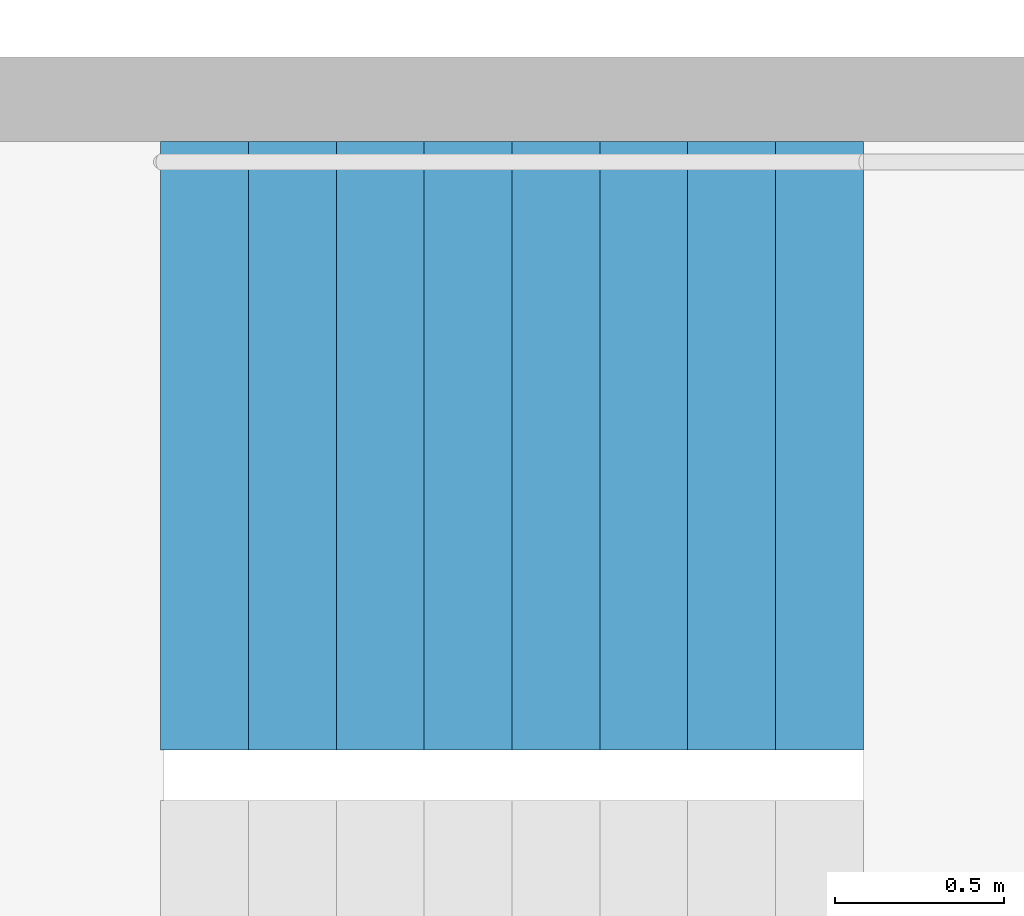
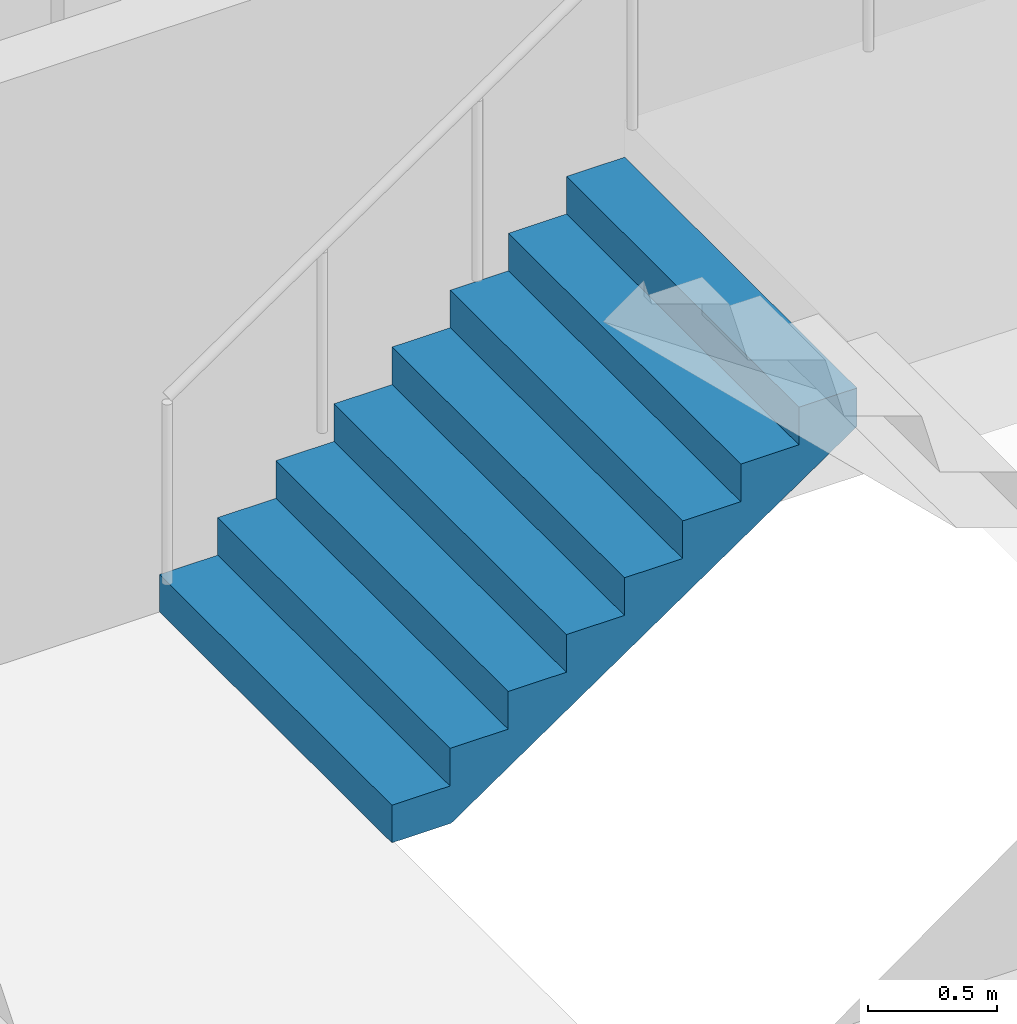
# One storey, part 21 of 28: 1 stair flight, 1 element without a shape of its own.
"""IFC4 building model written with IfcOpenShell, lengths in metres."""

from ifc_helpers import new_model, si_unit, direction, frame, origin, place, context, subcontext, project, spatial, triangles, material, type_object, element, aggregate, save


model = new_model("IFC4")

# Units and contexts
model_context = context("Model", 3, precision=1e-05, world=origin(), true_north=direction((0.0, 1.0)))
body_context = subcontext(model_context, "Body", "Model", "MODEL_VIEW")
ifc_project = project(units=[si_unit("LENGTHUNIT", "METRE"), si_unit("AREAUNIT", "SQUARE_METRE"), si_unit("VOLUMEUNIT", "CUBIC_METRE"), si_unit("PLANEANGLEUNIT", "RADIAN"), si_unit("MASSUNIT", "GRAM", prefix="KILO")], contexts=[model_context])

# Site, building, storey
site_placement = place(None, origin())
site = spatial("IfcSite", under=ifc_project, at=site_placement, CompositionType="ELEMENT")
building_placement = place(site_placement, origin())
building = spatial("IfcBuilding", under=site, at=building_placement, Name="Hakoniwa Tower and Hamabe Station Hall", CompositionType="ELEMENT")
storey_placement = place(building_placement, frame((0.0, 0.0, 193.0)))
storey = spatial("IfcBuildingStorey", under=building, at=storey_placement, Name="L54", CompositionType="ELEMENT", Elevation=193.0)

# Stair, stair flight
ifc_material_1 = material(Name="Concrete C40", Category="concrete")
stair_type = type_object("IfcStairType", Name="ESCAPE STAIR 1800", PredefinedType="HALF_TURN_STAIR", material=ifc_material_1)
stair_placement = place(storey_placement, origin())
stair = element("IfcStair", 1, at=stair_placement, inside=storey, type_object=stair_type, Name="Escape stair ST-4 L54", PredefinedType="HALF_TURN_STAIR")
ifc_material_2 = material(Name="Concrete C40", Category="concrete")
stair_flight_type = type_object("IfcStairFlightType", Name="STAIR FLIGHT 1800", PredefinedType="STRAIGHT", material=ifc_material_2)
stair_flight_placement = place(storey_placement, frame((23.39990234375, -4.64990234375, 0.0), z_axis=(0.0, 0.0, 1.0), x_axis=(1.0, 0.0, 0.0)))
stair_flight = element("IfcStairFlight", 2, at=stair_flight_placement, type_object=stair_flight_type, Name="ST-4 flight 1", NumberOfRisers=9, NumberOfTreads=8, PredefinedType="STRAIGHT", RiserHeight=0.177777778, TreadLength=0.26, context=body_context, shape_type="Tessellation", body=[
    triangles([(0.0, 0.89990234375, 0.0), (0.260009765625, 0.89990234375, 0.0), (0.265625, 0.89990234375, 0.0), (0.52001953125, 0.89990234375, 0.174072265625), (0.780029296875, 0.89990234375, 0.351806640625), (1.0400390625, 0.89990234375, 0.529541015625), (1.300048828125, 0.89990234375, 0.707275390625), (1.56005859375, 0.89990234375, 0.885009765625), (1.820068359375, 0.89990234375, 1.062744140625), (2.080078125, 0.89990234375, 1.24072265625), (2.080078125, 0.89990234375, 1.422119140625), (1.820068359375, 0.89990234375, 1.422119140625), (1.820068359375, 0.89990234375, 1.244384765625), (1.56005859375, 0.89990234375, 1.244384765625), (1.56005859375, 0.89990234375, 1.066650390625), (1.300048828125, 0.89990234375, 1.066650390625), (1.300048828125, 0.89990234375, 0.888916015625), (1.0400390625, 0.89990234375, 0.888916015625), (1.0400390625, 0.89990234375, 0.711181640625), (0.780029296875, 0.89990234375, 0.711181640625), (0.780029296875, 0.89990234375, 0.533447265625), (0.52001953125, 0.89990234375, 0.533447265625), (0.52001953125, 0.89990234375, 0.35546875), (0.265625, 0.89990234375, 0.35546875), (0.260009765625, 0.89990234375, 0.35546875), (0.260009765625, 0.89990234375, 0.177734375), (0.0, 0.89990234375, 0.177734375), (0.0, 0.06005859375, 0.0), (0.260009765625, 0.06005859375, 0.0), (0.265625, 0.06005859375, 0.0), (0.52001953125, 0.06005859375, 0.174072265625), (0.780029296875, 0.06005859375, 0.351806640625), (1.0400390625, 0.06005859375, 0.529541015625), (1.300048828125, 0.06005859375, 0.707275390625), (1.56005859375, 0.06005859375, 0.885009765625), (1.820068359375, 0.06005859375, 1.062744140625), (2.080078125, 0.06005859375, 1.24072265625), (2.080078125, 0.06005859375, 1.422119140625), (1.820068359375, 0.06005859375, 1.422119140625), (1.820068359375, 0.06005859375, 1.244384765625), (1.56005859375, 0.06005859375, 1.244384765625), (1.56005859375, 0.06005859375, 1.066650390625), (1.300048828125, 0.06005859375, 1.066650390625), (1.300048828125, 0.06005859375, 0.888916015625), (1.0400390625, 0.06005859375, 0.888916015625), (1.0400390625, 0.06005859375, 0.711181640625), (0.780029296875, 0.06005859375, 0.711181640625), (0.780029296875, 0.06005859375, 0.533447265625), (0.52001953125, 0.06005859375, 0.533447265625), (0.52001953125, 0.06005859375, 0.35546875), (0.265625, 0.06005859375, 0.35546875), (0.260009765625, 0.06005859375, 0.35546875), (0.260009765625, 0.06005859375, 0.177734375), (0.0, 0.06005859375, 0.177734375), (0.0, 0.04296875, 0.0), (0.260009765625, 0.04296875, 0.0), (0.265625, 0.04296875, 0.0), (0.52001953125, 0.04296875, 0.174072265625), (0.780029296875, 0.04296875, 0.351806640625), (1.0400390625, 0.04296875, 0.529541015625), (1.300048828125, 0.04296875, 0.707275390625), (1.56005859375, 0.04296875, 0.885009765625), (1.820068359375, 0.04296875, 1.062744140625), (2.080078125, 0.04296875, 1.24072265625), (2.080078125, 0.04296875, 1.422119140625), (1.820068359375, 0.04296875, 1.422119140625), (1.820068359375, 0.04296875, 1.244384765625), (1.56005859375, 0.04296875, 1.244384765625), (1.56005859375, 0.04296875, 1.066650390625), (1.300048828125, 0.04296875, 1.066650390625), (1.300048828125, 0.04296875, 0.888916015625), (1.0400390625, 0.04296875, 0.888916015625), (1.0400390625, 0.04296875, 0.711181640625), (0.780029296875, 0.04296875, 0.711181640625), (0.780029296875, 0.04296875, 0.533447265625), (0.52001953125, 0.04296875, 0.533447265625), (0.52001953125, 0.04296875, 0.35546875), (0.265625, 0.04296875, 0.35546875), (0.260009765625, 0.04296875, 0.35546875), (0.260009765625, 0.04296875, 0.177734375), (0.0, 0.04296875, 0.177734375), (0.0, 0.025634765625, 0.0), (0.260009765625, 0.025634765625, 0.0), (0.265625, 0.025634765625, 0.0), (0.52001953125, 0.025634765625, 0.174072265625), (0.780029296875, 0.025634765625, 0.351806640625), (1.0400390625, 0.025634765625, 0.529541015625), (1.300048828125, 0.025634765625, 0.707275390625), (1.56005859375, 0.025634765625, 0.885009765625), (1.820068359375, 0.025634765625, 1.062744140625), (2.080078125, 0.025634765625, 1.24072265625), (2.080078125, 0.025634765625, 1.422119140625), (1.820068359375, 0.025634765625, 1.422119140625), (1.820068359375, 0.025634765625, 1.244384765625), (1.56005859375, 0.025634765625, 1.244384765625), (1.56005859375, 0.025634765625, 1.066650390625), (1.300048828125, 0.025634765625, 1.066650390625), (1.300048828125, 0.025634765625, 0.888916015625), (1.0400390625, 0.025634765625, 0.888916015625), (1.0400390625, 0.025634765625, 0.711181640625), (0.780029296875, 0.025634765625, 0.711181640625), (0.780029296875, 0.025634765625, 0.533447265625), (0.52001953125, 0.025634765625, 0.533447265625), (0.52001953125, 0.025634765625, 0.35546875), (0.265625, 0.025634765625, 0.35546875), (0.260009765625, 0.025634765625, 0.35546875), (0.260009765625, 0.025634765625, 0.177734375), (0.0, 0.025634765625, 0.177734375), (0.0, 0.008544921875, 0.0), (0.260009765625, 0.008544921875, 0.0), (0.265625, 0.008544921875, 0.0), (0.52001953125, 0.008544921875, 0.174072265625), (0.780029296875, 0.008544921875, 0.351806640625), (1.0400390625, 0.008544921875, 0.529541015625), (1.300048828125, 0.008544921875, 0.707275390625), (1.56005859375, 0.008544921875, 0.885009765625), (1.820068359375, 0.008544921875, 1.062744140625), (2.080078125, 0.008544921875, 1.24072265625), (2.080078125, 0.008544921875, 1.422119140625), (1.820068359375, 0.008544921875, 1.422119140625), (1.820068359375, 0.008544921875, 1.244384765625), (1.56005859375, 0.008544921875, 1.244384765625), (1.56005859375, 0.008544921875, 1.066650390625), (1.300048828125, 0.008544921875, 1.066650390625), (1.300048828125, 0.008544921875, 0.888916015625), (1.0400390625, 0.008544921875, 0.888916015625), (1.0400390625, 0.008544921875, 0.711181640625), (0.780029296875, 0.008544921875, 0.711181640625), (0.780029296875, 0.008544921875, 0.533447265625), (0.52001953125, 0.008544921875, 0.533447265625), (0.52001953125, 0.008544921875, 0.35546875), (0.265625, 0.008544921875, 0.35546875), (0.260009765625, 0.008544921875, 0.35546875), (0.260009765625, 0.008544921875, 0.177734375), (0.0, 0.008544921875, 0.177734375), (0.0, -0.008544921875, 0.0), (0.260009765625, -0.008544921875, 0.0), (0.265625, -0.008544921875, 0.0), (0.52001953125, -0.008544921875, 0.174072265625), (0.780029296875, -0.008544921875, 0.351806640625), (1.0400390625, -0.008544921875, 0.529541015625), (1.300048828125, -0.008544921875, 0.707275390625), (1.56005859375, -0.008544921875, 0.885009765625), (1.820068359375, -0.008544921875, 1.062744140625), (2.080078125, -0.008544921875, 1.24072265625), (2.080078125, -0.008544921875, 1.422119140625), (1.820068359375, -0.008544921875, 1.422119140625), (1.820068359375, -0.008544921875, 1.244384765625), (1.56005859375, -0.008544921875, 1.244384765625), (1.56005859375, -0.008544921875, 1.066650390625), (1.300048828125, -0.008544921875, 1.066650390625), (1.300048828125, -0.008544921875, 0.888916015625), (1.0400390625, -0.008544921875, 0.888916015625), (1.0400390625, -0.008544921875, 0.711181640625), (0.780029296875, -0.008544921875, 0.711181640625), (0.780029296875, -0.008544921875, 0.533447265625), (0.52001953125, -0.008544921875, 0.533447265625), (0.52001953125, -0.008544921875, 0.35546875), (0.265625, -0.008544921875, 0.35546875), (0.260009765625, -0.008544921875, 0.35546875), (0.260009765625, -0.008544921875, 0.177734375), (0.0, -0.008544921875, 0.177734375), (0.0, -0.025634765625, 0.0), (0.260009765625, -0.025634765625, 0.0), (0.265625, -0.025634765625, 0.0), (0.52001953125, -0.025634765625, 0.174072265625), (0.780029296875, -0.025634765625, 0.351806640625), (1.0400390625, -0.025634765625, 0.529541015625), (1.300048828125, -0.025634765625, 0.707275390625), (1.56005859375, -0.025634765625, 0.885009765625), (1.820068359375, -0.025634765625, 1.062744140625), (2.080078125, -0.025634765625, 1.24072265625), (2.080078125, -0.025634765625, 1.422119140625), (1.820068359375, -0.025634765625, 1.422119140625), (1.820068359375, -0.025634765625, 1.244384765625), (1.56005859375, -0.025634765625, 1.244384765625), (1.56005859375, -0.025634765625, 1.066650390625), (1.300048828125, -0.025634765625, 1.066650390625), (1.300048828125, -0.025634765625, 0.888916015625), (1.0400390625, -0.025634765625, 0.888916015625), (1.0400390625, -0.025634765625, 0.711181640625), (0.780029296875, -0.025634765625, 0.711181640625), (0.780029296875, -0.025634765625, 0.533447265625), (0.52001953125, -0.025634765625, 0.533447265625), (0.52001953125, -0.025634765625, 0.35546875), (0.265625, -0.025634765625, 0.35546875), (0.260009765625, -0.025634765625, 0.35546875), (0.260009765625, -0.025634765625, 0.177734375), (0.0, -0.025634765625, 0.177734375), (0.0, -0.04296875, 0.0), (0.260009765625, -0.04296875, 0.0), (0.265625, -0.04296875, 0.0), (0.52001953125, -0.04296875, 0.174072265625), (0.780029296875, -0.04296875, 0.351806640625), (1.0400390625, -0.04296875, 0.529541015625), (1.300048828125, -0.04296875, 0.707275390625), (1.56005859375, -0.04296875, 0.885009765625), (1.820068359375, -0.04296875, 1.062744140625), (2.080078125, -0.04296875, 1.24072265625), (2.080078125, -0.04296875, 1.422119140625), (1.820068359375, -0.04296875, 1.422119140625), (1.820068359375, -0.04296875, 1.244384765625), (1.56005859375, -0.04296875, 1.244384765625), (1.56005859375, -0.04296875, 1.066650390625), (1.300048828125, -0.04296875, 1.066650390625), (1.300048828125, -0.04296875, 0.888916015625), (1.0400390625, -0.04296875, 0.888916015625), (1.0400390625, -0.04296875, 0.711181640625), (0.780029296875, -0.04296875, 0.711181640625), (0.780029296875, -0.04296875, 0.533447265625), (0.52001953125, -0.04296875, 0.533447265625), (0.52001953125, -0.04296875, 0.35546875), (0.265625, -0.04296875, 0.35546875), (0.260009765625, -0.04296875, 0.35546875), (0.260009765625, -0.04296875, 0.177734375), (0.0, -0.04296875, 0.177734375), (0.0, -0.06005859375, 0.0), (0.260009765625, -0.06005859375, 0.0), (0.265625, -0.06005859375, 0.0), (0.52001953125, -0.06005859375, 0.174072265625), (0.780029296875, -0.06005859375, 0.351806640625), (1.0400390625, -0.06005859375, 0.529541015625), (1.300048828125, -0.06005859375, 0.707275390625), (1.56005859375, -0.06005859375, 0.885009765625), (1.820068359375, -0.06005859375, 1.062744140625), (2.080078125, -0.06005859375, 1.24072265625), (2.080078125, -0.06005859375, 1.422119140625), (1.820068359375, -0.06005859375, 1.422119140625), (1.820068359375, -0.06005859375, 1.244384765625), (1.56005859375, -0.06005859375, 1.244384765625), (1.56005859375, -0.06005859375, 1.066650390625), (1.300048828125, -0.06005859375, 1.066650390625), (1.300048828125, -0.06005859375, 0.888916015625), (1.0400390625, -0.06005859375, 0.888916015625), (1.0400390625, -0.06005859375, 0.711181640625), (0.780029296875, -0.06005859375, 0.711181640625), (0.780029296875, -0.06005859375, 0.533447265625), (0.52001953125, -0.06005859375, 0.533447265625), (0.52001953125, -0.06005859375, 0.35546875), (0.265625, -0.06005859375, 0.35546875), (0.260009765625, -0.06005859375, 0.35546875), (0.260009765625, -0.06005859375, 0.177734375), (0.0, -0.06005859375, 0.177734375), (0.0, -0.89990234375, 0.0), (0.260009765625, -0.89990234375, 0.0), (0.265625, -0.89990234375, 0.0), (0.52001953125, -0.89990234375, 0.174072265625), (0.780029296875, -0.89990234375, 0.351806640625), (1.0400390625, -0.89990234375, 0.529541015625), (1.300048828125, -0.89990234375, 0.707275390625), (1.56005859375, -0.89990234375, 0.885009765625), (1.820068359375, -0.89990234375, 1.062744140625), (2.080078125, -0.89990234375, 1.24072265625), (2.080078125, -0.89990234375, 1.422119140625), (1.820068359375, -0.89990234375, 1.422119140625), (1.820068359375, -0.89990234375, 1.244384765625), (1.56005859375, -0.89990234375, 1.244384765625), (1.56005859375, -0.89990234375, 1.066650390625), (1.300048828125, -0.89990234375, 1.066650390625), (1.300048828125, -0.89990234375, 0.888916015625), (1.0400390625, -0.89990234375, 0.888916015625), (1.0400390625, -0.89990234375, 0.711181640625), (0.780029296875, -0.89990234375, 0.711181640625), (0.780029296875, -0.89990234375, 0.533447265625), (0.52001953125, -0.89990234375, 0.533447265625), (0.52001953125, -0.89990234375, 0.35546875), (0.265625, -0.89990234375, 0.35546875), (0.260009765625, -0.89990234375, 0.35546875), (0.260009765625, -0.89990234375, 0.177734375), (0.0, -0.89990234375, 0.177734375)], [[2, 27, 26], [245, 269, 270], [2, 1, 27], [245, 270, 244], [3, 25, 24], [246, 267, 268], [3, 26, 25], [246, 268, 269], [3, 2, 26], [246, 269, 245], [4, 24, 23], [247, 266, 267], [4, 3, 24], [247, 267, 246], [5, 22, 21], [248, 264, 265], [5, 23, 22], [248, 265, 266], [5, 4, 23], [248, 266, 247], [6, 20, 19], [249, 262, 263], [6, 21, 20], [249, 263, 264], [6, 5, 21], [249, 264, 248], [7, 18, 17], [250, 260, 261], [7, 19, 18], [250, 261, 262], [7, 6, 19], [250, 262, 249], [8, 16, 15], [251, 258, 259], [8, 17, 16], [251, 259, 260], [8, 7, 17], [251, 260, 250], [9, 14, 13], [252, 256, 257], [9, 15, 14], [252, 257, 258], [9, 8, 15], [252, 258, 251], [10, 12, 11], [253, 254, 255], [10, 13, 12], [253, 255, 256], [10, 9, 13], [253, 256, 252], [1, 2, 29], [1, 29, 28], [28, 29, 56], [28, 56, 55], [55, 56, 83], [55, 83, 82], [82, 83, 110], [82, 110, 109], [109, 110, 137], [109, 137, 136], [136, 137, 164], [136, 164, 163], [163, 164, 191], [163, 191, 190], [190, 191, 218], [190, 218, 217], [217, 218, 245], [217, 245, 244], [2, 3, 30], [2, 30, 29], [29, 30, 57], [29, 57, 56], [56, 57, 84], [56, 84, 83], [83, 84, 111], [83, 111, 110], [110, 111, 138], [110, 138, 137], [137, 138, 165], [137, 165, 164], [164, 165, 192], [164, 192, 191], [191, 192, 219], [191, 219, 218], [218, 219, 246], [218, 246, 245], [3, 4, 31], [3, 31, 30], [30, 31, 58], [30, 58, 57], [57, 58, 85], [57, 85, 84], [84, 85, 112], [84, 112, 111], [111, 112, 139], [111, 139, 138], [138, 139, 166], [138, 166, 165], [165, 166, 193], [165, 193, 192], [192, 193, 220], [192, 220, 219], [219, 220, 247], [219, 247, 246], [4, 5, 32], [4, 32, 31], [31, 32, 59], [31, 59, 58], [58, 59, 86], [58, 86, 85], [85, 86, 113], [85, 113, 112], [112, 113, 140], [112, 140, 139], [139, 140, 167], [139, 167, 166], [166, 167, 194], [166, 194, 193], [193, 194, 221], [193, 221, 220], [220, 221, 248], [220, 248, 247], [5, 6, 33], [5, 33, 32], [32, 33, 60], [32, 60, 59], [59, 60, 87], [59, 87, 86], [86, 87, 114], [86, 114, 113], [113, 114, 141], [113, 141, 140], [140, 141, 168], [140, 168, 167], [167, 168, 195], [167, 195, 194], [194, 195, 222], [194, 222, 221], [221, 222, 249], [221, 249, 248], [6, 7, 34], [6, 34, 33], [33, 34, 61], [33, 61, 60], [60, 61, 88], [60, 88, 87], [87, 88, 115], [87, 115, 114], [114, 115, 142], [114, 142, 141], [141, 142, 169], [141, 169, 168], [168, 169, 196], [168, 196, 195], [195, 196, 223], [195, 223, 222], [222, 223, 250], [222, 250, 249], [7, 8, 35], [7, 35, 34], [34, 35, 62], [34, 62, 61], [61, 62, 89], [61, 89, 88], [88, 89, 116], [88, 116, 115], [115, 116, 143], [115, 143, 142], [142, 143, 170], [142, 170, 169], [169, 170, 197], [169, 197, 196], [196, 197, 224], [196, 224, 223], [223, 224, 251], [223, 251, 250], [8, 9, 36], [8, 36, 35], [35, 36, 63], [35, 63, 62], [62, 63, 90], [62, 90, 89], [89, 90, 117], [89, 117, 116], [116, 117, 144], [116, 144, 143], [143, 144, 171], [143, 171, 170], [170, 171, 198], [170, 198, 197], [197, 198, 225], [197, 225, 224], [224, 225, 252], [224, 252, 251], [9, 10, 37], [9, 37, 36], [36, 37, 64], [36, 64, 63], [63, 64, 91], [63, 91, 90], [90, 91, 118], [90, 118, 117], [117, 118, 145], [117, 145, 144], [144, 145, 172], [144, 172, 171], [171, 172, 199], [171, 199, 198], [198, 199, 226], [198, 226, 225], [225, 226, 253], [225, 253, 252], [10, 11, 38], [10, 38, 37], [37, 38, 65], [37, 65, 64], [64, 65, 92], [64, 92, 91], [91, 92, 119], [91, 119, 118], [118, 119, 146], [118, 146, 145], [145, 146, 173], [145, 173, 172], [172, 173, 200], [172, 200, 199], [199, 200, 227], [199, 227, 226], [226, 227, 254], [226, 254, 253], [11, 12, 39], [11, 39, 38], [38, 39, 66], [38, 66, 65], [65, 66, 93], [65, 93, 92], [92, 93, 120], [92, 120, 119], [119, 120, 147], [119, 147, 146], [146, 147, 174], [146, 174, 173], [173, 174, 201], [173, 201, 200], [200, 201, 228], [200, 228, 227], [227, 228, 255], [227, 255, 254], [12, 13, 40], [12, 40, 39], [39, 40, 67], [39, 67, 66], [66, 67, 94], [66, 94, 93], [93, 94, 121], [93, 121, 120], [120, 121, 148], [120, 148, 147], [147, 148, 175], [147, 175, 174], [174, 175, 202], [174, 202, 201], [201, 202, 229], [201, 229, 228], [228, 229, 256], [228, 256, 255], [13, 14, 41], [13, 41, 40], [40, 41, 68], [40, 68, 67], [67, 68, 95], [67, 95, 94], [94, 95, 122], [94, 122, 121], [121, 122, 149], [121, 149, 148], [148, 149, 176], [148, 176, 175], [175, 176, 203], [175, 203, 202], [202, 203, 230], [202, 230, 229], [229, 230, 257], [229, 257, 256], [14, 15, 42], [14, 42, 41], [41, 42, 69], [41, 69, 68], [68, 69, 96], [68, 96, 95], [95, 96, 123], [95, 123, 122], [122, 123, 150], [122, 150, 149], [149, 150, 177], [149, 177, 176], [176, 177, 204], [176, 204, 203], [203, 204, 231], [203, 231, 230], [230, 231, 258], [230, 258, 257], [15, 16, 43], [15, 43, 42], [42, 43, 70], [42, 70, 69], [69, 70, 97], [69, 97, 96], [96, 97, 124], [96, 124, 123], [123, 124, 151], [123, 151, 150], [150, 151, 178], [150, 178, 177], [177, 178, 205], [177, 205, 204], [204, 205, 232], [204, 232, 231], [231, 232, 259], [231, 259, 258], [16, 17, 44], [16, 44, 43], [43, 44, 71], [43, 71, 70], [70, 71, 98], [70, 98, 97], [97, 98, 125], [97, 125, 124], [124, 125, 152], [124, 152, 151], [151, 152, 179], [151, 179, 178], [178, 179, 206], [178, 206, 205], [205, 206, 233], [205, 233, 232], [232, 233, 260], [232, 260, 259], [17, 18, 45], [17, 45, 44], [44, 45, 72], [44, 72, 71], [71, 72, 99], [71, 99, 98], [98, 99, 126], [98, 126, 125], [125, 126, 153], [125, 153, 152], [152, 153, 180], [152, 180, 179], [179, 180, 207], [179, 207, 206], [206, 207, 234], [206, 234, 233], [233, 234, 261], [233, 261, 260], [18, 19, 46], [18, 46, 45], [45, 46, 73], [45, 73, 72], [72, 73, 100], [72, 100, 99], [99, 100, 127], [99, 127, 126], [126, 127, 154], [126, 154, 153], [153, 154, 181], [153, 181, 180], [180, 181, 208], [180, 208, 207], [207, 208, 235], [207, 235, 234], [234, 235, 262], [234, 262, 261], [19, 20, 47], [19, 47, 46], [46, 47, 74], [46, 74, 73], [73, 74, 101], [73, 101, 100], [100, 101, 128], [100, 128, 127], [127, 128, 155], [127, 155, 154], [154, 155, 182], [154, 182, 181], [181, 182, 209], [181, 209, 208], [208, 209, 236], [208, 236, 235], [235, 236, 263], [235, 263, 262], [20, 21, 48], [20, 48, 47], [47, 48, 75], [47, 75, 74], [74, 75, 102], [74, 102, 101], [101, 102, 129], [101, 129, 128], [128, 129, 156], [128, 156, 155], [155, 156, 183], [155, 183, 182], [182, 183, 210], [182, 210, 209], [209, 210, 237], [209, 237, 236], [236, 237, 264], [236, 264, 263], [21, 22, 49], [21, 49, 48], [48, 49, 76], [48, 76, 75], [75, 76, 103], [75, 103, 102], [102, 103, 130], [102, 130, 129], [129, 130, 157], [129, 157, 156], [156, 157, 184], [156, 184, 183], [183, 184, 211], [183, 211, 210], [210, 211, 238], [210, 238, 237], [237, 238, 265], [237, 265, 264], [22, 23, 50], [22, 50, 49], [49, 50, 77], [49, 77, 76], [76, 77, 104], [76, 104, 103], [103, 104, 131], [103, 131, 130], [130, 131, 158], [130, 158, 157], [157, 158, 185], [157, 185, 184], [184, 185, 212], [184, 212, 211], [211, 212, 239], [211, 239, 238], [238, 239, 266], [238, 266, 265], [23, 24, 51], [23, 51, 50], [50, 51, 78], [50, 78, 77], [77, 78, 105], [77, 105, 104], [104, 105, 132], [104, 132, 131], [131, 132, 159], [131, 159, 158], [158, 159, 186], [158, 186, 185], [185, 186, 213], [185, 213, 212], [212, 213, 240], [212, 240, 239], [239, 240, 267], [239, 267, 266], [24, 25, 52], [24, 52, 51], [51, 52, 79], [51, 79, 78], [78, 79, 106], [78, 106, 105], [105, 106, 133], [105, 133, 132], [132, 133, 160], [132, 160, 159], [159, 160, 187], [159, 187, 186], [186, 187, 214], [186, 214, 213], [213, 214, 241], [213, 241, 240], [240, 241, 268], [240, 268, 267], [25, 26, 53], [25, 53, 52], [52, 53, 80], [52, 80, 79], [79, 80, 107], [79, 107, 106], [106, 107, 134], [106, 134, 133], [133, 134, 161], [133, 161, 160], [160, 161, 188], [160, 188, 187], [187, 188, 215], [187, 215, 214], [214, 215, 242], [214, 242, 241], [241, 242, 269], [241, 269, 268], [26, 27, 54], [26, 54, 53], [53, 54, 81], [53, 81, 80], [80, 81, 108], [80, 108, 107], [107, 108, 135], [107, 135, 134], [134, 135, 162], [134, 162, 161], [161, 162, 189], [161, 189, 188], [188, 189, 216], [188, 216, 215], [215, 216, 243], [215, 243, 242], [242, 243, 270], [242, 270, 269], [27, 1, 28], [27, 28, 54], [54, 28, 55], [54, 55, 81], [81, 55, 82], [81, 82, 108], [108, 82, 109], [108, 109, 135], [135, 109, 136], [135, 136, 162], [162, 136, 163], [162, 163, 189], [189, 163, 190], [189, 190, 216], [216, 190, 217], [216, 217, 243], [243, 217, 244], [243, 244, 270]], closed=True),
])
aggregate(stair, [stair_flight])

save(model, "model.ifc")
